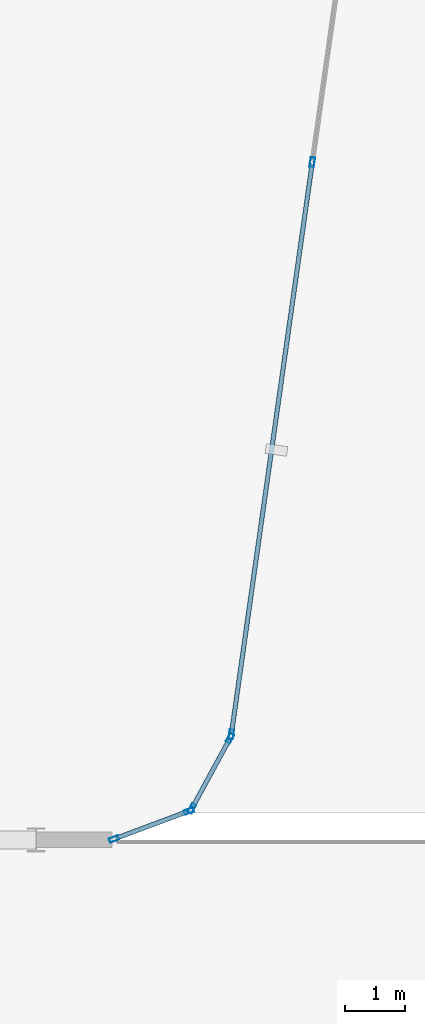
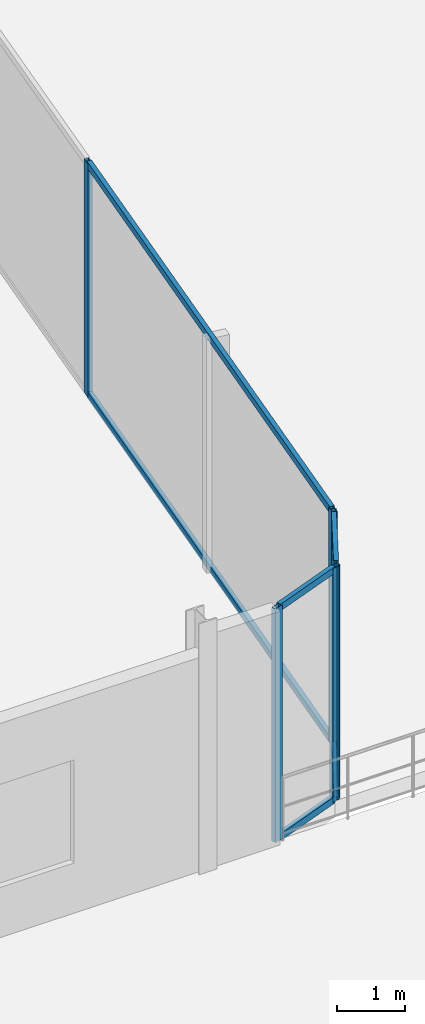
# One storey, part 9 of 24: 12 members, 3 elements without a shape of their own.
"""IFC4 building model written with IfcOpenShell, lengths in metres."""

import ifcopenshell
import ifcopenshell.guid

model = None  # the IFC model being written
_history = None  # IfcOwnerHistory: only IFC2X3 demands one
_inside = {}  # id of a spatial element -> (the spatial element, [elements in it])
_under = {}  # id of a project, library or spatial element -> (it, [spatial elements below it])
_declared = {}  # id of a project -> (the project, [libraries it declares])
_typed = {}  # id of a type object -> (the type object, [elements of that type])
_made_of = {}  # id of a material, layer set ... -> (it, [elements and type objects made of it])


def new_model(schema):
    """Start an empty IFC model of exactly this schema.

    Asked for "IFC4X3", IfcOpenShell would pick the latest addendum, in which some entities
    have other attributes; the version numbers below select the first issue.
    IFC2X3 requires an IfcOwnerHistory on every rooted entity: one is made here for all.
    """
    global model, _history
    if schema == "IFC4X3":
        model = ifcopenshell.file(schema_version=(4, 3, 0, 0))
    else:
        model = ifcopenshell.file(schema=schema)
    _inside.clear()
    _under.clear()
    _declared.clear()
    _typed.clear()
    _made_of.clear()
    _history = None
    if model.schema == "IFC2X3":
        org = make("IfcOrganization", Name="unknown")
        user = make(
            "IfcPersonAndOrganization",
            ThePerson=make("IfcPerson", FamilyName="unknown"),
            TheOrganization=org,
        )
        app = make(
            "IfcApplication",
            ApplicationDeveloper=org,
            Version="unknown",
            ApplicationFullName="unknown",
            ApplicationIdentifier="unknown",
        )
        _history = make(
            "IfcOwnerHistory",
            OwningUser=user,
            OwningApplication=app,
            ChangeAction="ADDED",
            CreationDate=0,
        )
    return model


def make(cls, **values):
    """One entity of the class cls with the attributes given. An attribute that is None is left unset."""
    return model.create_entity(
        cls, **{name: value for name, value in values.items() if value is not None}
    )


def rooted(cls, **values):
    """An entity with a GlobalId (a new one), such as an element, a storey or a relation."""
    return make(cls, GlobalId=ifcopenshell.guid.new(), OwnerHistory=_history, **values)


def si_unit(unit_type, name, prefix=None):
    """IfcSIUnit, for example si_unit("LENGTHUNIT", "METRE", prefix="MILLI")."""
    return make("IfcSIUnit", UnitType=unit_type, Prefix=prefix, Name=name)


def assignment(units):
    """IfcUnitAssignment: the units of a project."""
    return None if units is None else make("IfcUnitAssignment", Units=units)


def point(xyz):
    """IfcCartesianPoint."""
    return None if xyz is None else make("IfcCartesianPoint", Coordinates=xyz)


def direction(xyz):
    """IfcDirection."""
    return None if xyz is None else make("IfcDirection", DirectionRatios=xyz)


def frame(location, z_axis=None, x_axis=None):
    """IfcAxis2Placement3D, a coordinate frame: its origin and axes. An axis left out is left unset."""
    return make(
        "IfcAxis2Placement3D",
        Location=point(location),
        Axis=direction(z_axis),
        RefDirection=direction(x_axis),
    )


def frame_2d(location, x_axis=None):
    """IfcAxis2Placement2D, a coordinate frame in the plane: its origin and x axis."""
    return make(
        "IfcAxis2Placement2D", Location=point(location), RefDirection=direction(x_axis)
    )


def origin():
    """The frame at (0, 0, 0) with its axes left unset."""
    return frame((0.0, 0.0, 0.0))


def origin_2d():
    """The frame at (0, 0) in the plane with its x axis left unset."""
    return frame_2d((0.0, 0.0))


def place(relative_to, where):
    """IfcLocalPlacement: puts the frame where relative to a parent placement (None: the world)."""
    return make(
        "IfcLocalPlacement", PlacementRelTo=relative_to, RelativePlacement=where
    )


def context(
    kind, dimensions, precision=None, world=None, true_north=None, identifier=None
):
    """IfcGeometricRepresentationContext, for example the 3D "Model" context."""
    return make(
        "IfcGeometricRepresentationContext",
        ContextIdentifier=identifier,
        ContextType=kind,
        CoordinateSpaceDimension=dimensions,
        Precision=precision,
        WorldCoordinateSystem=world,
        TrueNorth=true_north,
    )


def subcontext(parent, identifier, kind, view, scale=None):
    """IfcGeometricRepresentationSubContext, for example "Body" below "Model"."""
    return make(
        "IfcGeometricRepresentationSubContext",
        ContextIdentifier=identifier,
        ContextType=kind,
        ParentContext=parent,
        TargetScale=scale,
        TargetView=view,
    )


def project(units=None, contexts=None):
    """IfcProject with its units and contexts."""
    return rooted(
        "IfcProject",
        Name="project",
        RepresentationContexts=contexts,
        UnitsInContext=assignment(units),
    )


def spatial(cls, under=None, at=None, **own):
    """A site, building, storey or space (cls), placed at a placement, below another one or the project."""
    s = rooted(cls, ObjectPlacement=at, **own)
    if under is not None:
        _under.setdefault(under.id(), (under, []))[1].append(s)
    return s


def profile(cls, at=None, kind="AREA", **sizes):
    """A parametric profile (cls). Its sizes go by their IFC names, for example OverallWidth=200.0."""
    return make(cls, ProfileType=kind, Position=at, **sizes)


def hollow_rectangle(**sizes):
    """IfcRectangleHollowProfileDef."""
    return profile("IfcRectangleHollowProfileDef", **sizes)


def extrude(swept, where, along, depth):
    """IfcExtrudedAreaSolid: the profile swept, set in the frame where, extruded along a direction by depth."""
    return make(
        "IfcExtrudedAreaSolid",
        SweptArea=swept,
        Position=where,
        ExtrudedDirection=direction(along),
        Depth=depth,
    )


def shape(context_of_items, identifier, shape_type, items):
    """IfcShapeRepresentation: the items that make up one representation, for example the "Body"."""
    return make(
        "IfcShapeRepresentation",
        ContextOfItems=context_of_items,
        RepresentationIdentifier=identifier,
        RepresentationType=shape_type,
        Items=items,
    )


def material(Name=None, Category=None):
    """IfcMaterial."""
    return make("IfcMaterial", Name=Name, Category=Category)


def layer(
    of_material, thickness, ventilated=None, Name=None, Category=None, Priority=None
):
    """IfcMaterialLayer: one layer of a wall or slab, of a material (None: an air gap)."""
    return make(
        "IfcMaterialLayer",
        Material=of_material,
        LayerThickness=thickness,
        IsVentilated=ventilated,
        Name=Name,
        Category=Category,
        Priority=Priority,
    )


def layer_set(layers, Name=None):
    """IfcMaterialLayerSet."""
    return make("IfcMaterialLayerSet", MaterialLayers=layers, LayerSetName=Name)


def material_profile(
    of_material, cross_section, Name=None, Category=None, Priority=None
):
    """IfcMaterialProfile: a cross section and its material."""
    return make(
        "IfcMaterialProfile",
        Name=Name,
        Material=of_material,
        Profile=cross_section,
        Priority=Priority,
        Category=Category,
    )


def profile_set(profiles, Name=None, composite=None):
    """IfcMaterialProfileSet."""
    return make(
        "IfcMaterialProfileSet",
        Name=Name,
        MaterialProfiles=profiles,
        CompositeProfile=composite,
    )


def made_of(thing, what):
    """Note that an element or type object is made of a material, layer set ...; save() writes the relation."""
    if what is not None:
        _made_of.setdefault(what.id(), (what, []))[1].append(thing)
    return thing


def type_object(cls, material=None, **own):
    """A type object (cls), such as IfcWallType, which elements share."""
    return made_of(rooted(cls, **own), material)


def element(
    cls,
    number,
    at=None,
    inside=None,
    cuts=None,
    type_object=None,
    material=None,
    context=None,
    identifier="Body",
    shape_type=None,
    held_by="IfcProductDefinitionShape",
    body=None,
    shapes=None,
    **own,
):
    """One element of the class cls, such as IfcWall. Its Tag is "e" and its number.

    at: its placement. inside: the storey or other place that contains it. cuts: it is an
    opening in that element (IfcRelVoidsElement). A single representation is given by context,
    identifier, shape_type and body (its items); several are given by shapes. held_by: the class
    of the entity that holds the representations. save() writes the other relations.
    """
    e = rooted(cls, Tag="e%d" % number, ObjectPlacement=at, **own)
    if body is not None:
        shapes = [shape(context, identifier, shape_type, body)]
    if shapes is not None:
        e.Representation = make(held_by, Representations=shapes)
    if inside is not None:
        _inside.setdefault(inside.id(), (inside, []))[1].append(e)
    if cuts is not None:
        rooted(
            "IfcRelVoidsElement", RelatingBuildingElement=cuts, RelatedOpeningElement=e
        )
    if type_object is not None:
        _typed.setdefault(type_object.id(), (type_object, []))[1].append(e)
    return made_of(e, material)


def aggregate(whole, parts):
    """IfcRelAggregates: a whole, such as a stair, and the parts it consists of."""
    return rooted("IfcRelAggregates", RelatingObject=whole, RelatedObjects=parts)


def save(model, path):
    """Write the relations noted so far, then the file.

    IfcRelAggregates (storeys below a building ...), IfcRelContainedInSpatialStructure (elements
    in a storey), IfcRelDefinesByType, IfcRelAssociatesMaterial and IfcRelDeclares: one each for
    every whole, place, type object, material and project.
    """
    for whole, parts in _under.values():
        aggregate(whole, parts)
    for where, things in _inside.values():
        rooted(
            "IfcRelContainedInSpatialStructure",
            RelatedElements=things,
            RelatingStructure=where,
        )
    for kind, things in _typed.values():
        rooted("IfcRelDefinesByType", RelatedObjects=things, RelatingType=kind)
    for what, things in _made_of.values():
        rooted("IfcRelAssociatesMaterial", RelatedObjects=things, RelatingMaterial=what)
    for by, libraries in _declared.values():
        rooted("IfcRelDeclares", RelatingContext=by, RelatedDefinitions=libraries)
    model.write(path)


model = new_model("IFC4")

# Units and contexts
model_context = context("Model", 3, precision=1e-05, world=origin(), true_north=direction((0.0, 1.0)))
body_context = subcontext(model_context, "Body", "Model", "MODEL_VIEW")
ifc_project = project(units=[si_unit("LENGTHUNIT", "METRE"), si_unit("AREAUNIT", "SQUARE_METRE"), si_unit("VOLUMEUNIT", "CUBIC_METRE"), si_unit("PLANEANGLEUNIT", "RADIAN"), si_unit("MASSUNIT", "GRAM", prefix="KILO")], contexts=[model_context])

# Site, building, storey
site_placement = place(None, origin())
site = spatial("IfcSite", under=ifc_project, at=site_placement, CompositionType="ELEMENT")
building_placement = place(site_placement, origin())
building = spatial("IfcBuilding", under=site, at=building_placement, Name="Keshet Zoharim Tower", CompositionType="ELEMENT")
storey_placement = place(building_placement, frame((0.0, 0.0, 242.800048828125)))
storey = spatial("IfcBuildingStorey", under=building, at=storey_placement, Name="L60", CompositionType="ELEMENT", Elevation=242.800048828125)

# Curtain wall, members
ifc_material = material(Name="Aluminium 6063-T6", Category="aluminium")
ifc_layer = layer(ifc_material, 0.260009765625)
ifc_layer_set = layer_set([ifc_layer], Name="Aluminium 6063-T6")
curtain_wall_type = type_object("IfcCurtainWallType", Name="CW-SYS-06", PredefinedType="NOTDEFINED", material=ifc_layer_set)
curtain_wall_1_placement = place(storey_placement, origin())
curtain_wall_1 = element("IfcCurtainWall", 1, at=curtain_wall_1_placement, inside=storey, type_object=curtain_wall_type, Name="L60 Unitised Curtain Wall 11", PredefinedType="NOTDEFINED")
ifc_material_profile_1 = material_profile(ifc_material, hollow_rectangle(XDim=0.074951171875, YDim=0.159912109375, WallThickness=0.00390625, at=origin_2d()), Name="MUL-75x160")
ifc_profile_set_1 = profile_set([ifc_material_profile_1], Name="Aluminium 6063-T6")
member_type_1 = type_object("IfcMemberType", Name="CWM-M15", PredefinedType="MULLION", material=ifc_profile_set_1)
member_1_placement = place(storey_placement, frame((43.595458984375, 17.97607421875, 0.0), z_axis=(0.0, 0.0, 1.0), x_axis=(0.990132057422, -0.140137464177, 0.0)))
member_1 = element("IfcMember", 2, at=member_1_placement, type_object=member_type_1, Name="CW-06 mullion 2", PredefinedType="MULLION", context=body_context, shape_type="SweptSolid", body=[
    extrude(hollow_rectangle(XDim=0.074951171875, YDim=0.159912109375, WallThickness=0.00390625, at=origin_2d()), origin(), (0.0, 0.0, 1.0), 4.18994140625),
])
member_2_placement = place(storey_placement, frame((42.247802734375, 8.45458984375, 0.0), z_axis=(0.0, 0.0, 1.0), x_axis=(0.990132057422, -0.140137464177, 0.0)))
member_2 = element("IfcMember", 3, at=member_2_placement, type_object=member_type_1, Name="CW-06 mullion 3", PredefinedType="MULLION", context=body_context, shape_type="SweptSolid", body=[
    extrude(hollow_rectangle(XDim=0.074951171875, YDim=0.159912109375, WallThickness=0.00390625, at=origin_2d()), origin(), (0.0, 0.0, 1.0), 4.18994140625),
])

curtain_wall_2_placement = place(storey_placement, origin())
curtain_wall_2 = element("IfcCurtainWall", 4, at=curtain_wall_2_placement, inside=storey, type_object=curtain_wall_type, Name="L60 Unitised Curtain Wall 12", PredefinedType="NOTDEFINED")
member_3_placement = place(storey_placement, frame((42.226318359375, 8.38916015625, 0.0), z_axis=(0.0, 0.0, 1.0), x_axis=(0.878468125004, -0.477800955789, 0.0)))
member_3 = element("IfcMember", 5, at=member_3_placement, type_object=member_type_1, Name="CW-06 mullion 1", PredefinedType="MULLION", context=body_context, shape_type="SweptSolid", body=[
    extrude(hollow_rectangle(XDim=0.074951171875, YDim=0.159912109375, WallThickness=0.00390625, at=origin_2d()), origin(), (0.0, 0.0, 1.0), 4.18994140625),
])
member_4_placement = place(storey_placement, frame((41.5908203125, 7.220703125, 0.0), z_axis=(0.0, 0.0, 1.0), x_axis=(0.878468125004, -0.477800955789, 0.0)))
member_4 = element("IfcMember", 6, at=member_4_placement, type_object=member_type_1, Name="CW-06 mullion 2", PredefinedType="MULLION", context=body_context, shape_type="SweptSolid", body=[
    extrude(hollow_rectangle(XDim=0.074951171875, YDim=0.159912109375, WallThickness=0.00390625, at=origin_2d()), origin(), (0.0, 0.0, 1.0), 4.18994140625),
])

curtain_wall_3_placement = place(storey_placement, origin())
curtain_wall_3 = element("IfcCurtainWall", 7, at=curtain_wall_3_placement, inside=storey, type_object=curtain_wall_type, Name="L60 Unitised Curtain Wall 13", PredefinedType="NOTDEFINED")
member_5_placement = place(storey_placement, frame((41.541259765625, 7.177734375, 0.0), z_axis=(0.0, 0.0, 1.0), x_axis=(0.350105315376, -0.936710343781, 0.0)))
member_5 = element("IfcMember", 8, at=member_5_placement, type_object=member_type_1, Name="CW-06 mullion 1", PredefinedType="MULLION", context=body_context, shape_type="SweptSolid", body=[
    extrude(hollow_rectangle(XDim=0.074951171875, YDim=0.159912109375, WallThickness=0.00390625, at=origin_2d()), origin(), (0.0, 0.0, 1.0), 4.18994140625),
])
member_6_placement = place(storey_placement, frame((40.2958984375, 6.712158203125, 0.0), z_axis=(0.0, 0.0, 1.0), x_axis=(0.350105315376, -0.936710343781, 0.0)))
member_6 = element("IfcMember", 9, at=member_6_placement, type_object=member_type_1, Name="CW-06 mullion 2", PredefinedType="MULLION", context=body_context, shape_type="SweptSolid", body=[
    extrude(hollow_rectangle(XDim=0.074951171875, YDim=0.159912109375, WallThickness=0.00390625, at=origin_2d()), origin(), (0.0, 0.0, 1.0), 4.18994140625),
])

# Member
ifc_material_profile_2 = material_profile(ifc_material, hollow_rectangle(XDim=0.074951171875, YDim=0.1201171875, WallThickness=0.00390625, at=origin_2d()), Name="TRN-75x120")
ifc_profile_set_2 = profile_set([ifc_material_profile_2], Name="Aluminium 6063-T6")
member_type_2 = type_object("IfcMemberType", Name="CWT-T12", PredefinedType="USERDEFINED", material=ifc_profile_set_2)
member_7_placement = place(storey_placement, frame((43.590576171875, 17.94140625, 0.034912109375), z_axis=(-0.14012154881, -0.990134309859, 0.0), x_axis=(0.990134309859, -0.14012154881, 0.0)))
member_7 = element("IfcMember", 10, at=member_7_placement, type_object=member_type_2, Name="CW-06 transom 2.1", ObjectType="TRANSOM", PredefinedType="USERDEFINED", context=body_context, shape_type="SweptSolid", body=[
    extrude(hollow_rectangle(XDim=0.074951171875, YDim=0.1201171875, WallThickness=0.00390625, at=origin_2d()), origin(), (0.0, 0.0, 1.0), 9.54638671875),
])

member_8_placement = place(storey_placement, frame((43.590576171875, 17.94140625, 4.155029296875), z_axis=(-0.14012154881, -0.990134309859, 0.0), x_axis=(0.990134309859, -0.14012154881, 0.0)))
member_8 = element("IfcMember", 11, at=member_8_placement, type_object=member_type_2, Name="CW-06 transom 2.2", ObjectType="TRANSOM", PredefinedType="USERDEFINED", context=body_context, shape_type="SweptSolid", body=[
    extrude(hollow_rectangle(XDim=0.074951171875, YDim=0.1201171875, WallThickness=0.00390625, at=origin_2d()), origin(), (0.0, 0.0, 1.0), 9.54638671875),
])

aggregate(curtain_wall_1, [member_1, member_2, member_7, member_8])

member_9_placement = place(storey_placement, frame((42.20947265625, 8.3583984375, 0.034912109375), z_axis=(-0.47779293276, -0.878472488701, 0.0), x_axis=(0.878472488701, -0.47779293276, 0.0)))
member_9 = element("IfcMember", 12, at=member_9_placement, type_object=member_type_2, Name="CW-06 transom 1.1", ObjectType="TRANSOM", PredefinedType="USERDEFINED", context=body_context, shape_type="SweptSolid", body=[
    extrude(hollow_rectangle(XDim=0.074951171875, YDim=0.1201171875, WallThickness=0.00390625, at=origin_2d()), origin(), (0.0, 0.0, 1.0), 1.260009765625),
])

member_10_placement = place(storey_placement, frame((42.20947265625, 8.3583984375, 4.155029296875), z_axis=(-0.47779293276, -0.878472488701, 0.0), x_axis=(0.878472488701, -0.47779293276, 0.0)))
member_10 = element("IfcMember", 13, at=member_10_placement, type_object=member_type_2, Name="CW-06 transom 1.2", ObjectType="TRANSOM", PredefinedType="USERDEFINED", context=body_context, shape_type="SweptSolid", body=[
    extrude(hollow_rectangle(XDim=0.074951171875, YDim=0.1201171875, WallThickness=0.00390625, at=origin_2d()), origin(), (0.0, 0.0, 1.0), 1.260009765625),
])

aggregate(curtain_wall_2, [member_3, member_4, member_9, member_10])

member_11_placement = place(storey_placement, frame((41.508544921875, 7.16552734375, 0.034912109375), z_axis=(-0.93673477759, -0.350039935512, 0.0), x_axis=(0.350039935512, -0.93673477759, 0.0)))
member_11 = element("IfcMember", 14, at=member_11_placement, type_object=member_type_2, Name="CW-06 transom 1.1", ObjectType="TRANSOM", PredefinedType="USERDEFINED", context=body_context, shape_type="SweptSolid", body=[
    extrude(hollow_rectangle(XDim=0.074951171875, YDim=0.1201171875, WallThickness=0.00390625, at=origin_2d()), origin(), (0.0, 0.0, 1.0), 1.259521484375),
])

member_12_placement = place(storey_placement, frame((41.508544921875, 7.16552734375, 4.155029296875), z_axis=(-0.93673477759, -0.350039935512, 0.0), x_axis=(0.350039935512, -0.93673477759, 0.0)))
member_12 = element("IfcMember", 15, at=member_12_placement, type_object=member_type_2, Name="CW-06 transom 1.2", ObjectType="TRANSOM", PredefinedType="USERDEFINED", context=body_context, shape_type="SweptSolid", body=[
    extrude(hollow_rectangle(XDim=0.074951171875, YDim=0.1201171875, WallThickness=0.00390625, at=origin_2d()), origin(), (0.0, 0.0, 1.0), 1.259521484375),
])

aggregate(curtain_wall_3, [member_5, member_6, member_11, member_12])

save(model, "model.ifc")
